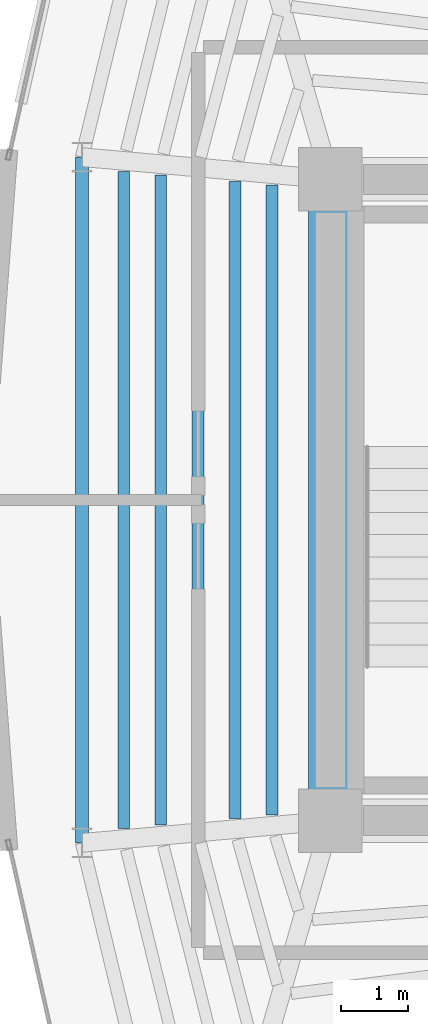
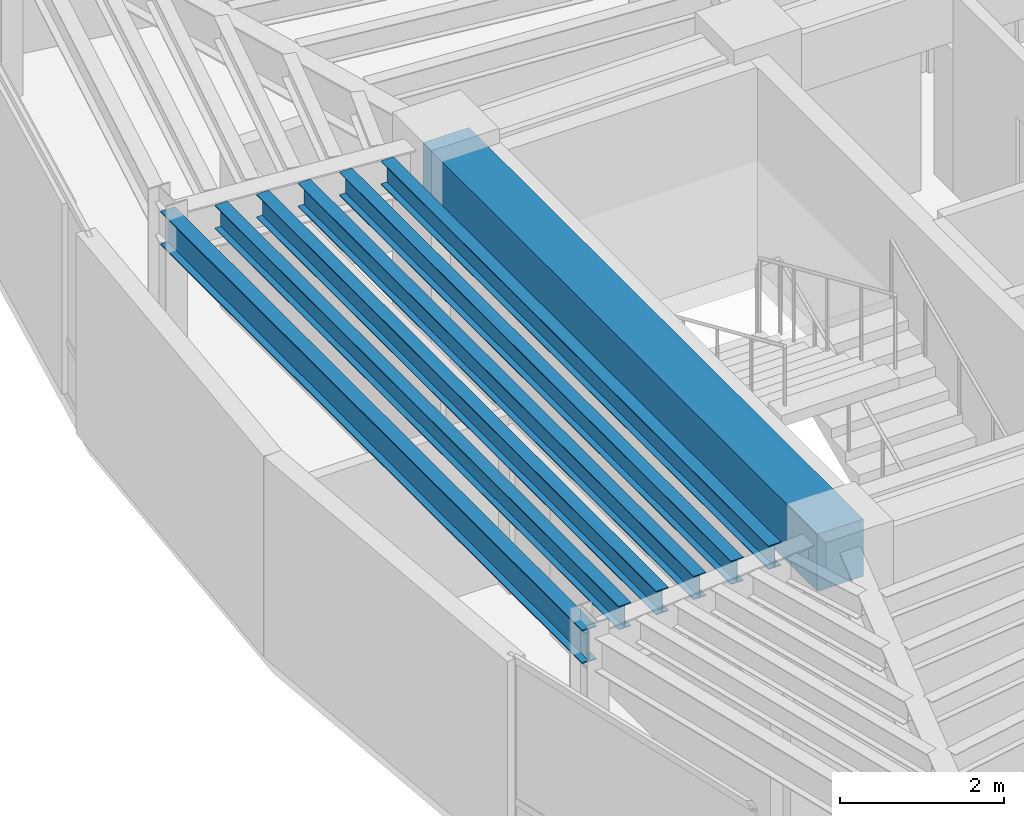
# One storey, part 4 of 14: 7 beams.
"""IFC4 building model written with IfcOpenShell, lengths in metres."""

from ifc_helpers import new_model, si_unit, direction, frame, origin, origin_2d, place, context, subcontext, project, spatial, rectangle, i_section, extrude, material, material_profile, profile_set, type_object, element, save


model = new_model("IFC4")

# Units and contexts
model_context = context("Model", 3, precision=1e-05, world=origin(), true_north=direction((0.0, 1.0)))
body_context = subcontext(model_context, "Body", "Model", "MODEL_VIEW")
ifc_project = project(units=[si_unit("LENGTHUNIT", "METRE"), si_unit("AREAUNIT", "SQUARE_METRE"), si_unit("VOLUMEUNIT", "CUBIC_METRE"), si_unit("PLANEANGLEUNIT", "RADIAN"), si_unit("MASSUNIT", "GRAM", prefix="KILO")], contexts=[model_context])

# Site, building, storey
site_placement = place(None, origin())
site = spatial("IfcSite", under=ifc_project, at=site_placement, CompositionType="ELEMENT")
building_placement = place(site_placement, origin())
building = spatial("IfcBuilding", under=site, at=building_placement, Name="Menara Vayukalpa", CompositionType="ELEMENT")
storey_placement = place(building_placement, frame((0.0, 0.0, 299.219970703125)))
storey = spatial("IfcBuildingStorey", under=building, at=storey_placement, Name="L76", CompositionType="ELEMENT", Elevation=299.219970703125)

# Beams
ifc_material_1 = material(Name="Concrete C60/75", Category="concrete")
ifc_material_profile_1 = material_profile(ifc_material_1, rectangle(XDim=0.64990234375, YDim=0.85009765625, at=origin_2d()), Name="RC 650x850")
ifc_profile_set_1 = profile_set([ifc_material_profile_1], Name="Concrete C60/75")
beam_type_1 = type_object("IfcBeamType", Name="BM-CB1", PredefinedType="BEAM", material=ifc_profile_set_1)
beam_1_placement = place(storey_placement, frame((17.800048828125, 17.199951171875, 2.554931640625), z_axis=(0.0, 1.0, 0.0), x_axis=(-1.0, 0.0, 0.0)))
element("IfcBeam", 1, at=beam_1_placement, inside=storey, type_object=beam_type_1, Name="L76 Core Tie Beam CBR7", PredefinedType="BEAM", context=body_context, shape_type="SweptSolid", body=[
    extrude(rectangle(XDim=0.64990234375, YDim=0.85009765625, at=origin_2d()), origin(), (0.0, 0.0, 1.0), 9.60009765625),
])
ifc_material_2 = material(Name="Steel S355", Category="steel")
ifc_material_profile_2 = material_profile(ifc_material_2, i_section(OverallWidth=0.175048828125, OverallDepth=0.35009765625, WebThickness=0.007080078125, FlangeThickness=0.010986328125, at=origin_2d()), Name="WF 350x175x7x11")
ifc_profile_set_2 = profile_set([ifc_material_profile_2], Name="Steel S355")
beam_type_2 = type_object("IfcBeamType", Name="BM-SJ3", PredefinedType="JOIST", material=ifc_profile_set_2)
beam_2_placement = place(storey_placement, frame((16.926513671875, 26.71826171875, 2.804931640625), z_axis=(0.0, -1.0, 0.0), x_axis=(1.0, 0.0, 0.0)))
element("IfcBeam", 2, at=beam_2_placement, inside=storey, type_object=beam_type_2, Name="L76 Secondary Floor Joist SJ05-1", PredefinedType="JOIST", context=body_context, shape_type="SweptSolid", body=[
    extrude(i_section(OverallWidth=0.175048828125, OverallDepth=0.35009765625, WebThickness=0.007080078125, FlangeThickness=0.010986328125, at=origin_2d()), origin(), (0.0, 0.0, 1.0), 9.4365234375),
])
beam_3_placement = place(storey_placement, frame((16.371337890625, 26.767822265625, 2.804931640625), z_axis=(0.0, -1.0, 0.0), x_axis=(1.0, 0.0, 0.0)))
element("IfcBeam", 3, at=beam_3_placement, inside=storey, type_object=beam_type_2, Name="L76 Secondary Floor Joist SJ05-2", PredefinedType="JOIST", context=body_context, shape_type="SweptSolid", body=[
    extrude(i_section(OverallWidth=0.175048828125, OverallDepth=0.35009765625, WebThickness=0.007080078125, FlangeThickness=0.010986328125, at=origin_2d()), origin(), (0.0, 0.0, 1.0), 9.53564453125),
])
beam_4_placement = place(storey_placement, frame((15.816162109375, 26.817626953125, 2.804931640625), z_axis=(0.0, -1.0, 0.0), x_axis=(1.0, 0.0, 0.0)))
element("IfcBeam", 4, at=beam_4_placement, inside=storey, type_object=beam_type_2, Name="L76 Secondary Floor Joist SJ05-3", PredefinedType="JOIST", context=body_context, shape_type="SweptSolid", body=[
    extrude(i_section(OverallWidth=0.175048828125, OverallDepth=0.35009765625, WebThickness=0.007080078125, FlangeThickness=0.010986328125, at=origin_2d()), origin(), (0.0, 0.0, 1.0), 9.63525390625),
])
beam_5_placement = place(storey_placement, frame((15.260986328125, 26.8671875, 2.804931640625), z_axis=(0.0, -1.0, 0.0), x_axis=(1.0, 0.0, 0.0)))
element("IfcBeam", 5, at=beam_5_placement, inside=storey, type_object=beam_type_2, Name="L76 Secondary Floor Joist SJ05-4", PredefinedType="JOIST", context=body_context, shape_type="SweptSolid", body=[
    extrude(i_section(OverallWidth=0.175048828125, OverallDepth=0.35009765625, WebThickness=0.007080078125, FlangeThickness=0.010986328125, at=origin_2d()), origin(), (0.0, 0.0, 1.0), 9.734375),
])
beam_6_placement = place(storey_placement, frame((14.705810546875, 26.9169921875, 2.804931640625), z_axis=(0.0, -1.0, 0.0), x_axis=(1.0, 0.0, 0.0)))
element("IfcBeam", 6, at=beam_6_placement, inside=storey, type_object=beam_type_2, Name="L76 Secondary Floor Joist SJ05-5", PredefinedType="JOIST", context=body_context, shape_type="SweptSolid", body=[
    extrude(i_section(OverallWidth=0.175048828125, OverallDepth=0.35009765625, WebThickness=0.007080078125, FlangeThickness=0.010986328125, at=origin_2d()), origin(), (0.0, 0.0, 1.0), 9.833984375),
])
ifc_material_3 = material(Name="Steel S355", Category="steel")
ifc_material_profile_3 = material_profile(ifc_material_3, i_section(OverallWidth=0.199951171875, OverallDepth=0.5, WebThickness=0.010009765625, FlangeThickness=0.01611328125, at=origin_2d()), Name="WF 500x200x10x16")
ifc_profile_set_3 = profile_set([ifc_material_profile_3], Name="Steel S355")
beam_type_3 = type_object("IfcBeamType", Name="BM-SP3", PredefinedType="SPANDREL", material=ifc_profile_set_3)
beam_7_placement = place(storey_placement, frame((14.081298828125, 27.1328125, 2.72998046875), z_axis=(0.0, -1.0, 0.0), x_axis=(1.0, 0.0, 0.0)))
element("IfcBeam", 7, at=beam_7_placement, inside=storey, type_object=beam_type_3, Name="L76 Perimeter Spandrel Beam SP05", PredefinedType="SPANDREL", context=body_context, shape_type="SweptSolid", body=[
    extrude(i_section(OverallWidth=0.199951171875, OverallDepth=0.5, WebThickness=0.010009765625, FlangeThickness=0.01611328125, at=origin_2d()), origin(), (0.0, 0.0, 1.0), 10.265625),
])

save(model, "model.ifc")
